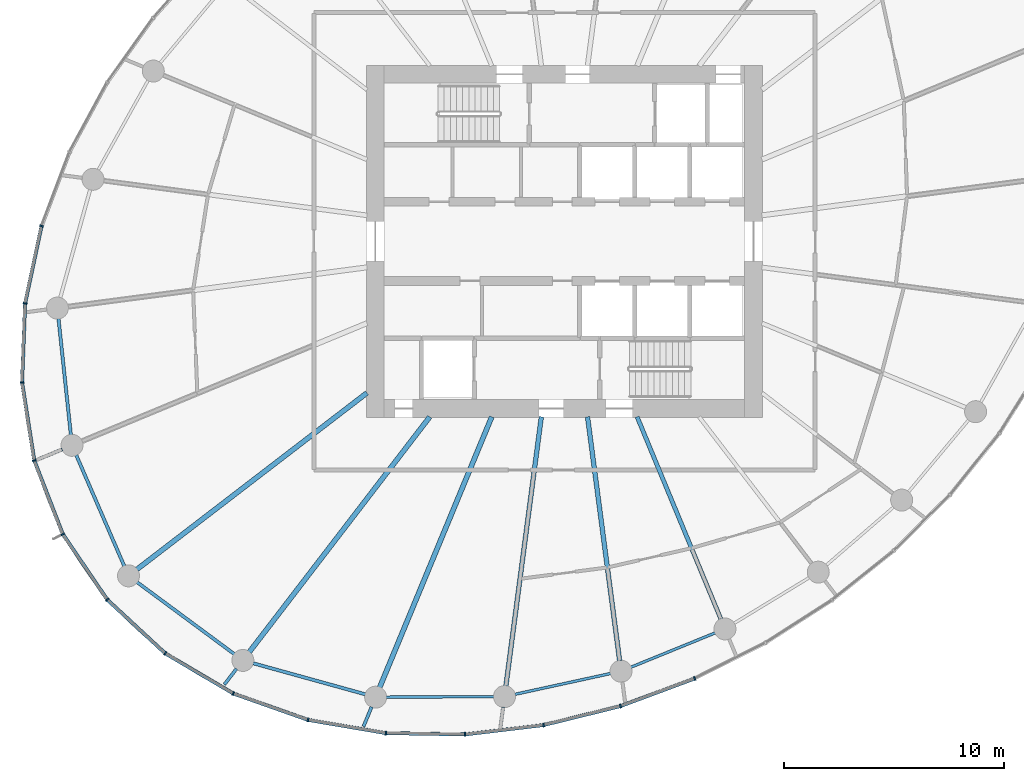
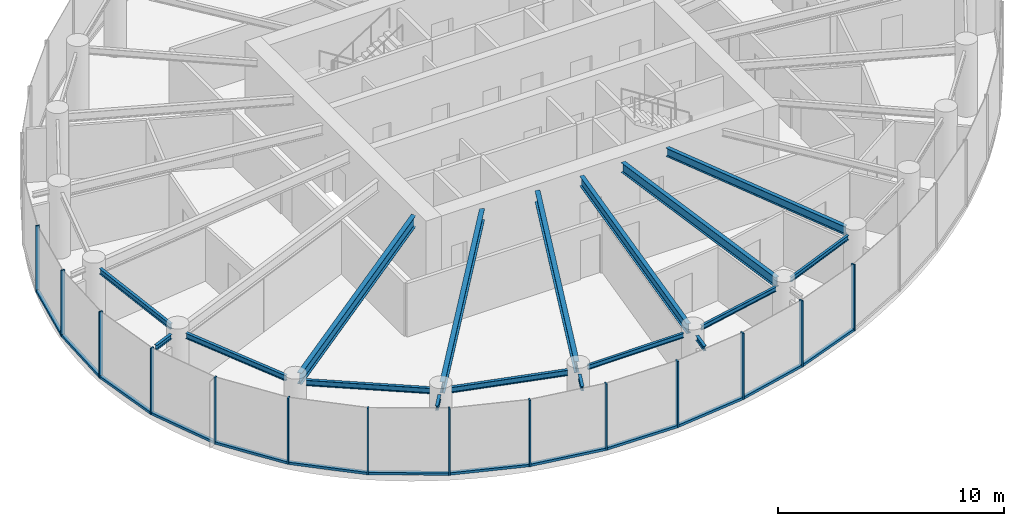
# One storey, part 2 of 14: 27 members, 17 beams, 3 elements without a shape of their own.
"""IFC4 building model written with IfcOpenShell, lengths in metres."""

from ifc_helpers import new_model, si_unit, direction, frame, origin, origin_2d, place, context, subcontext, project, spatial, rectangle, i_section, extrude, source, transform, mapped, material, layer, layer_set, material_profile, profile_set, type_object, element, aggregate, save


model = new_model("IFC4")

# Units and contexts
model_context = context("Model", 3, precision=1e-05, world=origin(), true_north=direction((0.0, 1.0)))
body_context = subcontext(model_context, "Body", "Model", "MODEL_VIEW")
ifc_project = project(units=[si_unit("LENGTHUNIT", "METRE"), si_unit("AREAUNIT", "SQUARE_METRE"), si_unit("VOLUMEUNIT", "CUBIC_METRE"), si_unit("PLANEANGLEUNIT", "RADIAN"), si_unit("MASSUNIT", "GRAM", prefix="KILO")], contexts=[model_context])

# Site, building, storey
site_placement = place(None, origin())
site = spatial("IfcSite", under=ifc_project, at=site_placement, CompositionType="ELEMENT")
building_placement = place(site_placement, origin())
building = spatial("IfcBuilding", under=site, at=building_placement, Name="Spindrift Exchange Tower", CompositionType="ELEMENT")
storey_placement = place(building_placement, frame((0.0, 0.0, 144.800048828125)))
storey = spatial("IfcBuildingStorey", under=building, at=storey_placement, Name="L34", CompositionType="ELEMENT", Elevation=144.800048828125)

# Beams
ifc_material_1 = material(Name="Steel Grade 300", Category="steel")
ifc_material_profile_1 = material_profile(ifc_material_1, i_section(OverallWidth=0.14599609375, OverallDepth=0.251953125, WebThickness=0.006103515625, FlangeThickness=0.008544921875, FilletRadius=0.011962890625, at=origin_2d()), Name="250UB31.4")
ifc_profile_set_1 = profile_set([ifc_material_profile_1], Name="Steel Grade 300")
beam_type_1 = type_object("IfcBeamType", Name="Cantilever Beam 250UB31.4 Steel Grade 300", PredefinedType="BEAM", material=ifc_profile_set_1)
shared_shape_1 = source(origin(), body_context, "Body", "SweptSolid", [
    extrude(i_section(OverallWidth=0.14599609375, OverallDepth=0.251953125, WebThickness=0.006103515625, FlangeThickness=0.008544921875, FilletRadius=0.011962890625, at=origin_2d()), origin(), (0.0, 0.0, 1.0), 0.964111328125),
])
beam_1_placement = place(storey_placement, frame((43.229248046875, 26.82568359375, 3.453857421875), z_axis=(-0.382672391391, -0.923884105755, 0.0), x_axis=(0.923884105755, -0.382672391391, 0.0)))
element("IfcBeam", 1, at=beam_1_placement, inside=storey, type_object=beam_type_1, Name="L34 cantilever beam R17T", PredefinedType="BEAM", context=body_context, shape_type="MappedRepresentation", body=[
    mapped(shared_shape_1, transform((0.0, 0.0, 0.0), scale=1.0)),
])
shared_shape_2 = source(origin(), body_context, "Body", "SweptSolid", [
    extrude(i_section(OverallWidth=0.14599609375, OverallDepth=0.251953125, WebThickness=0.006103515625, FlangeThickness=0.008544921875, FilletRadius=0.011962890625, at=origin_2d()), origin(), (0.0, 0.0, 1.0), 0.9267578125),
])
beam_2_placement = place(storey_placement, frame((49.21142578125, 26.81884765625, 3.453857421875), z_axis=(-0.130386374353, -0.991463258716, 0.0), x_axis=(0.991463258716, -0.130386374353, 0.0)))
element("IfcBeam", 2, at=beam_2_placement, inside=storey, type_object=beam_type_1, Name="L34 cantilever beam R18T", PredefinedType="BEAM", context=body_context, shape_type="MappedRepresentation", body=[
    mapped(shared_shape_2, transform((0.0, 0.0, 0.0), scale=1.0)),
])
ifc_material_profile_2 = material_profile(ifc_material_1, i_section(OverallWidth=0.14892578125, OverallDepth=0.298095703125, WebThickness=0.005615234375, FlangeThickness=0.008056640625, FilletRadius=0.012939453125, at=origin_2d()), Name="310UB32.0")
ifc_profile_set_2 = profile_set([ifc_material_profile_2], Name="Steel Grade 300")
beam_type_2 = type_object("IfcBeamType", Name="Edge Beam 310UB32.0 Steel Grade 300", PredefinedType="SPANDREL", material=ifc_profile_set_2)
shared_shape_3 = source(origin(), body_context, "Body", "SweptSolid", [
    extrude(i_section(OverallWidth=0.14892578125, OverallDepth=0.298095703125, WebThickness=0.005615234375, FlangeThickness=0.008056640625, FilletRadius=0.012939453125, at=origin_2d()), origin(), (0.0, 0.0, 1.0), 5.31640625),
])
beam_3_placement = place(storey_placement, frame((28.989013671875, 44.486572265625, 3.430908203125), z_axis=(0.10598990948, -0.994367205357, 0.0), x_axis=(0.994367205357, 0.10598990948, 0.0)))
element("IfcBeam", 3, at=beam_3_placement, inside=storey, type_object=beam_type_2, Name="L34 edge beam E13", PredefinedType="SPANDREL", context=body_context, shape_type="MappedRepresentation", body=[
    mapped(shared_shape_3, transform((0.0, 0.0, 0.0), scale=1.0)),
])
shared_shape_4 = source(origin(), body_context, "Body", "SweptSolid", [
    extrude(i_section(OverallWidth=0.14892578125, OverallDepth=0.298095703125, WebThickness=0.005615234375, FlangeThickness=0.008056640625, FilletRadius=0.012939453125, at=origin_2d()), origin(), (0.0, 0.0, 1.0), 5.508544921875),
])
beam_4_placement = place(storey_placement, frame((29.794189453125, 38.282470703125, 3.430908203125), z_axis=(0.397414644433, -0.917639144975, 0.0), x_axis=(0.917639144975, 0.397414644433, 0.0)))
element("IfcBeam", 4, at=beam_4_placement, inside=storey, type_object=beam_type_2, Name="L34 edge beam E14", PredefinedType="SPANDREL", context=body_context, shape_type="MappedRepresentation", body=[
    mapped(shared_shape_4, transform((0.0, 0.0, 0.0), scale=1.0)),
])
shared_shape_5 = source(origin(), body_context, "Body", "SweptSolid", [
    extrude(i_section(OverallWidth=0.14892578125, OverallDepth=0.298095703125, WebThickness=0.005615234375, FlangeThickness=0.008056640625, FilletRadius=0.012939453125, at=origin_2d()), origin(), (0.0, 0.0, 1.0), 5.509033203125),
])
beam_5_placement = place(storey_placement, frame((32.56005859375, 32.501708984375, 3.430908203125), z_axis=(0.803991901791, -0.594640245741, 0.0), x_axis=(0.594640245741, 0.803991901791, 0.0)))
element("IfcBeam", 5, at=beam_5_placement, inside=storey, type_object=beam_type_2, Name="L34 edge beam E15", PredefinedType="SPANDREL", context=body_context, shape_type="MappedRepresentation", body=[
    mapped(shared_shape_5, transform((0.0, 0.0, 0.0), scale=1.0)),
])
shared_shape_6 = source(origin(), body_context, "Body", "SweptSolid", [
    extrude(i_section(OverallWidth=0.14892578125, OverallDepth=0.298095703125, WebThickness=0.005615234375, FlangeThickness=0.008056640625, FilletRadius=0.012939453125, at=origin_2d()), origin(), (0.0, 0.0, 1.0), 5.30517578125),
])
beam_6_placement = place(storey_placement, frame((37.837646484375, 28.8125, 3.430908203125), z_axis=(0.963757513624, -0.26677978734, 0.0), x_axis=(0.26677978734, 0.963757513624, 0.0)))
element("IfcBeam", 6, at=beam_6_placement, inside=storey, type_object=beam_type_2, Name="L34 edge beam E16", PredefinedType="SPANDREL", context=body_context, shape_type="MappedRepresentation", body=[
    mapped(shared_shape_6, transform((0.0, 0.0, 0.0), scale=1.0)),
])
ifc_material_profile_3 = material_profile(ifc_material_1, i_section(OverallWidth=0.1240234375, OverallDepth=0.248046875, WebThickness=0.0048828125, FlangeThickness=0.008056640625, FilletRadius=0.011962890625, at=origin_2d()), Name="250UB25.7")
ifc_profile_set_3 = profile_set([ifc_material_profile_3], Name="Steel Grade 300")
beam_type_3 = type_object("IfcBeamType", Name="Edge Beam 250UB25.7 Steel Grade 300", PredefinedType="SPANDREL", material=ifc_profile_set_3)
shared_shape_7 = source(origin(), body_context, "Body", "SweptSolid", [
    extrude(i_section(OverallWidth=0.1240234375, OverallDepth=0.248046875, WebThickness=0.0048828125, FlangeThickness=0.008056640625, FilletRadius=0.011962890625, at=origin_2d()), origin(), (0.0, 0.0, 1.0), 4.901123046875),
])
beam_7_placement = place(storey_placement, frame((43.89306640625, 27.271240234375, 3.4560546875), z_axis=(0.999990609444, 0.004333707747, 0.0), x_axis=(-0.004333707747, 0.999990609444, 0.0)))
element("IfcBeam", 7, at=beam_7_placement, inside=storey, type_object=beam_type_3, Name="L34 edge beam E17", PredefinedType="SPANDREL", context=body_context, shape_type="MappedRepresentation", body=[
    mapped(shared_shape_7, transform((0.0, 0.0, 0.0), scale=1.0)),
])
shared_shape_8 = source(origin(), body_context, "Body", "SweptSolid", [
    extrude(i_section(OverallWidth=0.1240234375, OverallDepth=0.248046875, WebThickness=0.0048828125, FlangeThickness=0.008056640625, FilletRadius=0.011962890625, at=origin_2d()), origin(), (0.0, 0.0, 1.0), 4.464111328125),
])
beam_8_placement = place(storey_placement, frame((49.7431640625, 27.396728515625, 3.4560546875), z_axis=(0.977095837978, 0.212799726048, 0.0), x_axis=(-0.212799726048, 0.977095837978, 0.0)))
element("IfcBeam", 8, at=beam_8_placement, inside=storey, type_object=beam_type_3, Name="L34 edge beam E18", PredefinedType="SPANDREL", context=body_context, shape_type="MappedRepresentation", body=[
    mapped(shared_shape_8, transform((0.0, 0.0, 0.0), scale=1.0)),
])
shared_shape_9 = source(origin(), body_context, "Body", "SweptSolid", [
    extrude(i_section(OverallWidth=0.1240234375, OverallDepth=0.248046875, WebThickness=0.0048828125, FlangeThickness=0.008056640625, FilletRadius=0.011962890625, at=origin_2d()), origin(), (0.0, 0.0, 1.0), 4.143798828125),
])
beam_9_placement = place(storey_placement, frame((55.0185546875, 28.6298828125, 3.4560546875), z_axis=(0.926113706975, 0.377244485385, 0.0), x_axis=(-0.377244485385, 0.926113706975, 0.0)))
element("IfcBeam", 9, at=beam_9_placement, inside=storey, type_object=beam_type_3, Name="L34 edge beam E19", PredefinedType="SPANDREL", context=body_context, shape_type="MappedRepresentation", body=[
    mapped(shared_shape_9, transform((0.0, 0.0, 0.0), scale=1.0)),
])
ifc_material_profile_4 = material_profile(ifc_material_1, i_section(OverallWidth=0.22802734375, OverallDepth=0.60205078125, WebThickness=0.010498046875, FlangeThickness=0.014892578125, FilletRadius=0.013916015625, at=origin_2d()), Name="610UB101")
ifc_profile_set_4 = profile_set([ifc_material_profile_4], Name="Steel Grade 300")
beam_type_4 = type_object("IfcBeamType", Name="Floor Beam 610UB101 Steel Grade 300", PredefinedType="BEAM", material=ifc_profile_set_4)
shared_shape_10 = source(origin(), body_context, "Body", "SweptSolid", [
    extrude(i_section(OverallWidth=0.22802734375, OverallDepth=0.60205078125, WebThickness=0.010498046875, FlangeThickness=0.014892578125, FilletRadius=0.013916015625, at=origin_2d()), origin(), (0.0, 0.0, 1.0), 13.185546875),
])
beam_10_placement = place(storey_placement, frame((43.015869140625, 41.106201171875, 3.279052734375), z_axis=(-0.793357156703, -0.608756455332, 0.0), x_axis=(0.608756455332, -0.793357156703, 0.0)))
element("IfcBeam", 10, at=beam_10_placement, inside=storey, type_object=beam_type_4, Name="L34 radial beam R15A", PredefinedType="BEAM", context=body_context, shape_type="MappedRepresentation", body=[
    mapped(shared_shape_10, transform((0.0, 0.0, 0.0), scale=1.0)),
])
shared_shape_11 = source(origin(), body_context, "Body", "SweptSolid", [
    extrude(i_section(OverallWidth=0.22802734375, OverallDepth=0.60205078125, WebThickness=0.010498046875, FlangeThickness=0.014892578125, FilletRadius=0.013916015625, at=origin_2d()), origin(), (0.0, 0.0, 1.0), 13.480224609375),
])
beam_11_placement = place(storey_placement, frame((45.87353515625, 40.015869140625, 3.279052734375), z_axis=(-0.608764179541, -0.793351229726, 0.0), x_axis=(0.793351229726, -0.608764179541, 0.0)))
element("IfcBeam", 11, at=beam_11_placement, inside=storey, type_object=beam_type_4, Name="L34 radial beam R16A", PredefinedType="BEAM", context=body_context, shape_type="MappedRepresentation", body=[
    mapped(shared_shape_11, transform((0.0, 0.0, 0.0), scale=1.0)),
])
shared_shape_12 = source(origin(), body_context, "Body", "SweptSolid", [
    extrude(i_section(OverallWidth=0.22802734375, OverallDepth=0.60205078125, WebThickness=0.010498046875, FlangeThickness=0.014892578125, FilletRadius=0.013916015625, at=origin_2d()), origin(), (0.0, 0.0, 1.0), 13.31982421875),
])
beam_12_placement = place(storey_placement, frame((48.69384765625, 40.0185546875, 3.279052734375), z_axis=(-0.382676632888, -0.923882348918, 0.0), x_axis=(0.923882348918, -0.382676632888, 0.0)))
element("IfcBeam", 12, at=beam_12_placement, inside=storey, type_object=beam_type_4, Name="L34 radial beam R17A", PredefinedType="BEAM", context=body_context, shape_type="MappedRepresentation", body=[
    mapped(shared_shape_12, transform((0.0, 0.0, 0.0), scale=1.0)),
])
ifc_material_profile_5 = material_profile(ifc_material_1, i_section(OverallWidth=0.208984375, OverallDepth=0.528076171875, WebThickness=0.009521484375, FlangeThickness=0.01318359375, FilletRadius=0.013916015625, at=origin_2d()), Name="530UB82.0")
ifc_profile_set_5 = profile_set([ifc_material_profile_5], Name="Steel Grade 300")
beam_type_5 = type_object("IfcBeamType", Name="Floor Beam 530UB82.0 Steel Grade 300", PredefinedType="BEAM", material=ifc_profile_set_5)
shared_shape_13 = source(origin(), body_context, "Body", "SweptSolid", [
    extrude(i_section(OverallWidth=0.208984375, OverallDepth=0.528076171875, WebThickness=0.009521484375, FlangeThickness=0.01318359375, FilletRadius=0.013916015625, at=origin_2d()), origin(), (0.0, 0.0, 1.0), 12.35498046875),
])
beam_13_placement = place(storey_placement, frame((50.949462890625, 40.019775390625, 3.31591796875), z_axis=(-0.130537831721, -0.991443328935, 0.0), x_axis=(0.991443328935, -0.130537831721, 0.0)))
element("IfcBeam", 13, at=beam_13_placement, inside=storey, type_object=beam_type_5, Name="L34 radial beam R18A", PredefinedType="BEAM", context=body_context, shape_type="MappedRepresentation", body=[
    mapped(shared_shape_13, transform((0.0, 0.0, 0.0), scale=1.0)),
])
shared_shape_14 = source(origin(), body_context, "Body", "SweptSolid", [
    extrude(i_section(OverallWidth=0.208984375, OverallDepth=0.528076171875, WebThickness=0.009521484375, FlangeThickness=0.01318359375, FilletRadius=0.013916015625, at=origin_2d()), origin(), (0.0, 0.0, 1.0), 11.19091796875),
])
beam_14_placement = place(storey_placement, frame((53.050537109375, 40.019775390625, 3.31591796875), z_axis=(0.130524489434, -0.991445085548, 0.0), x_axis=(0.991445085548, 0.130524489434, 0.0)))
element("IfcBeam", 14, at=beam_14_placement, inside=storey, type_object=beam_type_5, Name="L34 radial beam R19A", PredefinedType="BEAM", context=body_context, shape_type="MappedRepresentation", body=[
    mapped(shared_shape_14, transform((0.0, 0.0, 0.0), scale=1.0)),
])
ifc_material_profile_6 = material_profile(ifc_material_1, i_section(OverallWidth=0.18994140625, OverallDepth=0.4541015625, WebThickness=0.008544921875, FlangeThickness=0.0126953125, FilletRadius=0.013916015625, at=origin_2d()), Name="460UB67.1")
ifc_profile_set_6 = profile_set([ifc_material_profile_6], Name="Steel Grade 300")
beam_type_6 = type_object("IfcBeamType", Name="Floor Beam 460UB67.1 Steel Grade 300", PredefinedType="BEAM", material=ifc_profile_set_6)
shared_shape_15 = source(origin(), body_context, "Body", "SweptSolid", [
    extrude(i_section(OverallWidth=0.18994140625, OverallDepth=0.4541015625, WebThickness=0.008544921875, FlangeThickness=0.0126953125, FilletRadius=0.013916015625, at=origin_2d()), origin(), (0.0, 0.0, 1.0), 9.958984375),
])
beam_15_placement = place(storey_placement, frame((55.30615234375, 40.0185546875, 3.35302734375), z_axis=(0.382673670509, -0.923883575944, 0.0), x_axis=(0.923883575944, 0.382673670509, 0.0)))
element("IfcBeam", 15, at=beam_15_placement, inside=storey, type_object=beam_type_6, Name="L34 radial beam R20A", PredefinedType="BEAM", context=body_context, shape_type="MappedRepresentation", body=[
    mapped(shared_shape_15, transform((0.0, 0.0, 0.0), scale=1.0)),
])
shared_shape_16 = source(origin(), body_context, "Body", "SweptSolid", [
    extrude(i_section(OverallWidth=0.14599609375, OverallDepth=0.251953125, WebThickness=0.006103515625, FlangeThickness=0.008544921875, FilletRadius=0.011962890625, at=origin_2d()), origin(), (0.0, 0.0, 1.0), 1.1201171875),
])
beam_16_placement = place(storey_placement, frame((29.159912109375, 38.539306640625, 3.453857421875), z_axis=(-0.923868073298, -0.382711096181, 0.0), x_axis=(0.382711096181, -0.923868073298, 0.0)))
element("IfcBeam", 16, at=beam_16_placement, inside=storey, type_object=beam_type_1, Name="L34 cantilever beam R14T", PredefinedType="BEAM", context=body_context, shape_type="MappedRepresentation", body=[
    mapped(shared_shape_16, transform((0.0, 0.0, 0.0), scale=1.0)),
])
shared_shape_17 = source(origin(), body_context, "Body", "SweptSolid", [
    extrude(i_section(OverallWidth=0.14599609375, OverallDepth=0.251953125, WebThickness=0.006103515625, FlangeThickness=0.008544921875, FilletRadius=0.011962890625, at=origin_2d()), origin(), (0.0, 0.0, 1.0), 0.89990234375),
])
beam_17_placement = place(storey_placement, frame((37.0830078125, 28.559814453125, 3.453857421875), z_axis=(-0.608818785139, -0.79330932609, 0.0), x_axis=(0.79330932609, -0.608818785139, 0.0)))
element("IfcBeam", 17, at=beam_17_placement, inside=storey, type_object=beam_type_1, Name="L34 cantilever beam R16T", PredefinedType="BEAM", context=body_context, shape_type="MappedRepresentation", body=[
    mapped(shared_shape_17, transform((0.0, 0.0, 0.0), scale=1.0)),
])

# Curtain wall, members
ifc_material_2 = material(Name="Fritted laminated glass with bronze frame", Category="glass")
ifc_layer = layer(ifc_material_2, 0.179931640625)
ifc_layer_set = layer_set([ifc_layer], Name="ZONE 3 BRONZE FRITTED WALL")
curtain_wall_type = type_object("IfcCurtainWallType", Name="ZONE 3 BRONZE FRITTED WALL", PredefinedType="NOTDEFINED", material=ifc_layer_set)
curtain_wall_1_placement = place(storey_placement, origin())
curtain_wall_1 = element("IfcCurtainWall", 18, at=curtain_wall_1_placement, inside=storey, type_object=curtain_wall_type, Name="L34 Zone 3 Bronze Fritted Wall run 3", PredefinedType="NOTDEFINED")
ifc_material_3 = material(Name="Bronze anodised aluminium", Category="aluminium")
ifc_material_profile_7 = material_profile(ifc_material_3, rectangle(XDim=0.070068359375, YDim=0.179931640625, at=origin_2d()), Name="ZONE 3 BRONZE FRITTED WALL MULLION 70X180")
ifc_profile_set_7 = profile_set([ifc_material_profile_7], Name="Bronze anodised aluminium")
member_type_1 = type_object("IfcMemberType", Name="ZONE 3 BRONZE FRITTED WALL MULLION 70X180", PredefinedType="MULLION", material=ifc_profile_set_7)
shared_shape_18 = source(origin(), body_context, "Body", "SweptSolid", [
    extrude(rectangle(XDim=0.070068359375, YDim=0.179931640625, at=origin_2d()), origin(), (0.0, 0.0, 1.0), 3.579833984375),
])
member_1_placement = place(storey_placement, frame((28.216796875, 48.69873046875, 0.0), z_axis=(0.0, 0.0, 1.0), x_axis=(-0.281423350118, -0.959583710787, 0.0)))
member_1 = element("IfcMember", 19, at=member_1_placement, type_object=member_type_1, Name="L34 mullion CW-3.17", PredefinedType="MULLION", context=body_context, shape_type="MappedRepresentation", body=[
    mapped(shared_shape_18, transform((0.0, 0.0, 0.0), scale=1.0)),
])
member_2_placement = place(storey_placement, frame((27.468017578125, 45.1787109375, 0.0), z_axis=(0.0, 0.0, 1.0), x_axis=(-0.123586044706, -0.992333859925, 0.0)))
member_2 = element("IfcMember", 20, at=member_2_placement, type_object=member_type_1, Name="L34 mullion CW-3.18", PredefinedType="MULLION", context=body_context, shape_type="MappedRepresentation", body=[
    mapped(shared_shape_18, transform((0.0, 0.0, 0.0), scale=1.0)),
])

curtain_wall_2_placement = place(storey_placement, origin())
curtain_wall_2 = element("IfcCurtainWall", 21, at=curtain_wall_2_placement, inside=storey, type_object=curtain_wall_type, Name="L34 Zone 3 Bronze Fritted Wall run 4", PredefinedType="NOTDEFINED")
member_3_placement = place(storey_placement, frame((27.33056640625, 41.583740234375, 0.0), z_axis=(0.0, 0.0, 1.0), x_axis=(0.058507055163, -0.998286995055, 0.0)))
member_3 = element("IfcMember", 22, at=member_3_placement, type_object=member_type_1, Name="L34 mullion CW-3.19", PredefinedType="MULLION", context=body_context, shape_type="MappedRepresentation", body=[
    mapped(shared_shape_18, transform((0.0, 0.0, 0.0), scale=1.0)),
])
member_4_placement = place(storey_placement, frame((27.886962890625, 38.03076171875, 0.0), z_axis=(0.0, 0.0, 1.0), x_axis=(0.259394019209, -0.965771578997, 0.0)))
member_4 = element("IfcMember", 23, at=member_4_placement, type_object=member_type_1, Name="L34 mullion CW-3.20", PredefinedType="MULLION", context=body_context, shape_type="MappedRepresentation", body=[
    mapped(shared_shape_18, transform((0.0, 0.0, 0.0), scale=1.0)),
])
member_5_placement = place(storey_placement, frame((29.185302734375, 34.67822265625, 0.0), z_axis=(0.0, 0.0, 1.0), x_axis=(0.464461669455, -0.885593223555, 0.0)))
member_5 = element("IfcMember", 24, at=member_5_placement, type_object=member_type_1, Name="L34 mullion CW-3.21", PredefinedType="MULLION", context=body_context, shape_type="MappedRepresentation", body=[
    mapped(shared_shape_18, transform((0.0, 0.0, 0.0), scale=1.0)),
])
member_6_placement = place(storey_placement, frame((31.20458984375, 31.70458984375, 0.0), z_axis=(0.0, 0.0, 1.0), x_axis=(0.651938902854, -0.758271499494, 0.0)))
member_6 = element("IfcMember", 25, at=member_6_placement, type_object=member_type_1, Name="L34 mullion CW-3.22", PredefinedType="MULLION", context=body_context, shape_type="MappedRepresentation", body=[
    mapped(shared_shape_18, transform((0.0, 0.0, 0.0), scale=1.0)),
])
member_7_placement = place(storey_placement, frame((33.84228515625, 29.26171875, 0.0), z_axis=(0.0, 0.0, 1.0), x_axis=(0.802080772711, -0.597215567486, 0.0)))
member_7 = element("IfcMember", 26, at=member_7_placement, type_object=member_type_1, Name="L34 mullion CW-3.23", PredefinedType="MULLION", context=body_context, shape_type="MappedRepresentation", body=[
    mapped(shared_shape_18, transform((0.0, 0.0, 0.0), scale=1.0)),
])
member_8_placement = place(storey_placement, frame((36.939697265625, 27.4345703125, 0.0), z_axis=(0.0, 0.0, 1.0), x_axis=(0.906379983588, -0.422463401196, 0.0)))
member_8 = element("IfcMember", 27, at=member_8_placement, type_object=member_type_1, Name="L34 mullion CW-3.24", PredefinedType="MULLION", context=body_context, shape_type="MappedRepresentation", body=[
    mapped(shared_shape_18, transform((0.0, 0.0, 0.0), scale=1.0)),
])

curtain_wall_3_placement = place(storey_placement, origin())
curtain_wall_3 = element("IfcCurtainWall", 28, at=curtain_wall_3_placement, inside=storey, type_object=curtain_wall_type, Name="L34 Zone 3 Bronze Fritted Wall run 5", PredefinedType="NOTDEFINED")
member_9_placement = place(storey_placement, frame((40.332275390625, 26.23681640625, 0.0), z_axis=(0.0, 0.0, 1.0), x_axis=(0.967984918776, -0.251008360464, 0.0)))
member_9 = element("IfcMember", 29, at=member_9_placement, type_object=member_type_1, Name="L34 mullion CW-3.25", PredefinedType="MULLION", context=body_context, shape_type="MappedRepresentation", body=[
    mapped(shared_shape_18, transform((0.0, 0.0, 0.0), scale=1.0)),
])
member_10_placement = place(storey_placement, frame((43.880126953125, 25.635009765625, 0.0), z_axis=(0.0, 0.0, 1.0), x_axis=(0.995737892298, -0.092228248608, 0.0)))
member_10 = element("IfcMember", 30, at=member_10_placement, type_object=member_type_1, Name="L34 mullion CW-3.26", PredefinedType="MULLION", context=body_context, shape_type="MappedRepresentation", body=[
    mapped(shared_shape_18, transform((0.0, 0.0, 0.0), scale=1.0)),
])
member_11_placement = place(storey_placement, frame((47.47900390625, 25.574951171875, 0.0), z_axis=(0.0, 0.0, 1.0), x_axis=(0.998699237437, 0.050988558933, 0.0)))
member_11 = element("IfcMember", 31, at=member_11_placement, type_object=member_type_1, Name="L34 mullion CW-3.27", PredefinedType="MULLION", context=body_context, shape_type="MappedRepresentation", body=[
    mapped(shared_shape_18, transform((0.0, 0.0, 0.0), scale=1.0)),
])
member_12_placement = place(storey_placement, frame((51.053955078125, 26.001220703125, 0.0), z_axis=(0.0, 0.0, 1.0), x_axis=(0.9838052898, 0.179240485832, 0.0)))
member_12 = element("IfcMember", 32, at=member_12_placement, type_object=member_type_1, Name="L34 mullion CW-3.28", PredefinedType="MULLION", context=body_context, shape_type="MappedRepresentation", body=[
    mapped(shared_shape_18, transform((0.0, 0.0, 0.0), scale=1.0)),
])
member_13_placement = place(storey_placement, frame((54.549560546875, 26.86328125, 0.0), z_axis=(0.0, 0.0, 1.0), x_axis=(0.955646743582, 0.294515367139, 0.0)))
member_13 = element("IfcMember", 33, at=member_13_placement, type_object=member_type_1, Name="L34 mullion CW-3.29", PredefinedType="MULLION", context=body_context, shape_type="MappedRepresentation", body=[
    mapped(shared_shape_18, transform((0.0, 0.0, 0.0), scale=1.0)),
])
member_14_placement = place(storey_placement, frame((57.92431640625, 28.11865234375, 0.0), z_axis=(0.0, 0.0, 1.0), x_axis=(0.916944499164, 0.399014768465, 0.0)))
member_14 = element("IfcMember", 34, at=member_14_placement, type_object=member_type_1, Name="L34 mullion CW-3.30", PredefinedType="MULLION", context=body_context, shape_type="MappedRepresentation", body=[
    mapped(shared_shape_18, transform((0.0, 0.0, 0.0), scale=1.0)),
])

# Member
ifc_material_profile_8 = material_profile(ifc_material_3, rectangle(XDim=0.159912109375, YDim=0.1298828125, at=origin_2d()), Name="ZONE 3 BRONZE FRITTED WALL TRANSOM 160X130")
ifc_profile_set_8 = profile_set([ifc_material_profile_8], Name="Bronze anodised aluminium")
member_type_2 = type_object("IfcMemberType", Name="ZONE 3 BRONZE FRITTED WALL TRANSOM 160X130", PredefinedType="USERDEFINED", material=ifc_profile_set_8)
shared_shape_19 = source(origin(), body_context, "Body", "SweptSolid", [
    extrude(rectangle(XDim=0.159912109375, YDim=0.1298828125, at=origin_2d()), origin(), (0.0, 0.0, 1.0), 3.52880859375),
])
member_15_placement = place(storey_placement, frame((28.20947265625, 48.66455078125, 0.06494140625), z_axis=(-0.208035823342, -0.978121207319, 0.0), x_axis=(0.978121207319, -0.208035823342, 0.0)))
member_15 = element("IfcMember", 35, at=member_15_placement, type_object=member_type_2, Name="L34 transom CW-3.17", ObjectType="TRANSOM", PredefinedType="USERDEFINED", context=body_context, shape_type="MappedRepresentation", body=[
    mapped(shared_shape_19, transform((0.0, 0.0, 0.0), scale=1.0)),
])

member_16_placement = place(storey_placement, frame((40.36669921875, 26.23095703125, 0.06494140625), z_axis=(0.985918650366, -0.167225640557, 0.0), x_axis=(0.167225640557, 0.985918650366, 0.0)))
member_16 = element("IfcMember", 36, at=member_16_placement, type_object=member_type_2, Name="L34 transom CW-3.25", ObjectType="TRANSOM", PredefinedType="USERDEFINED", context=body_context, shape_type="MappedRepresentation", body=[
    mapped(shared_shape_19, transform((0.0, 0.0, 0.0), scale=1.0)),
])

shared_shape_20 = source(origin(), body_context, "Body", "SweptSolid", [
    extrude(rectangle(XDim=0.159912109375, YDim=0.1298828125, at=origin_2d()), origin(), (0.0, 0.0, 1.0), 3.5263671875),
])
member_17_placement = place(storey_placement, frame((27.3359375, 41.54931640625, 0.06494140625), z_axis=(0.154735905243, -0.987955869272, 0.0), x_axis=(0.987955869272, 0.154735905243, 0.0)))
member_17 = element("IfcMember", 37, at=member_17_placement, type_object=member_type_2, Name="L34 transom CW-3.19", ObjectType="TRANSOM", PredefinedType="USERDEFINED", context=body_context, shape_type="MappedRepresentation", body=[
    mapped(shared_shape_20, transform((0.0, 0.0, 0.0), scale=1.0)),
])

shared_shape_21 = source(origin(), body_context, "Body", "SweptSolid", [
    extrude(rectangle(XDim=0.159912109375, YDim=0.1298828125, at=origin_2d()), origin(), (0.0, 0.0, 1.0), 3.52490234375),
])
member_18_placement = place(storey_placement, frame((27.899658203125, 37.998046875, 0.06494140625), z_axis=(0.361122340081, -0.932518447804, 0.0), x_axis=(0.932518447804, 0.361122340081, 0.0)))
member_18 = element("IfcMember", 38, at=member_18_placement, type_object=member_type_2, Name="L34 transom CW-3.20", ObjectType="TRANSOM", PredefinedType="USERDEFINED", context=body_context, shape_type="MappedRepresentation", body=[
    mapped(shared_shape_21, transform((0.0, 0.0, 0.0), scale=1.0)),
])

shared_shape_22 = source(origin(), body_context, "Body", "SweptSolid", [
    extrude(rectangle(XDim=0.159912109375, YDim=0.1298828125, at=origin_2d()), origin(), (0.0, 0.0, 1.0), 3.525146484375),
])
member_19_placement = place(storey_placement, frame((31.23046875, 31.680908203125, 0.06494140625), z_axis=(0.733634066134, -0.679544742462, 0.0), x_axis=(0.679544742462, 0.733634066134, 0.0)))
member_19 = element("IfcMember", 39, at=member_19_placement, type_object=member_type_2, Name="L34 transom CW-3.22", ObjectType="TRANSOM", PredefinedType="USERDEFINED", context=body_context, shape_type="MappedRepresentation", body=[
    mapped(shared_shape_22, transform((0.0, 0.0, 0.0), scale=1.0)),
])

shared_shape_23 = source(origin(), body_context, "Body", "SweptSolid", [
    extrude(rectangle(XDim=0.159912109375, YDim=0.1298828125, at=origin_2d()), origin(), (0.0, 0.0, 1.0), 3.530517578125),
])
member_20_placement = place(storey_placement, frame((51.087890625, 26.009521484375, 0.06494140625), z_axis=(0.97091850034, 0.239410245597, 0.0), x_axis=(-0.239410245597, 0.97091850034, 0.0)))
member_20 = element("IfcMember", 40, at=member_20_placement, type_object=member_type_2, Name="L34 transom CW-3.28", ObjectType="TRANSOM", PredefinedType="USERDEFINED", context=body_context, shape_type="MappedRepresentation", body=[
    mapped(shared_shape_23, transform((0.0, 0.0, 0.0), scale=1.0)),
])

member_21_placement = place(storey_placement, frame((54.58251953125, 26.87548828125, 0.06494140625), z_axis=(0.937252332387, 0.348651782492, 0.0), x_axis=(-0.348651782492, 0.937252332387, 0.0)))
member_21 = element("IfcMember", 41, at=member_21_placement, type_object=member_type_2, Name="L34 transom CW-3.29", ObjectType="TRANSOM", PredefinedType="USERDEFINED", context=body_context, shape_type="MappedRepresentation", body=[
    mapped(shared_shape_23, transform((0.0, 0.0, 0.0), scale=1.0)),
])

shared_shape_24 = source(origin(), body_context, "Body", "SweptSolid", [
    extrude(rectangle(XDim=0.159912109375, YDim=0.1298828125, at=origin_2d()), origin(), (0.0, 0.0, 1.0), 3.530029296875),
])
member_22_placement = place(storey_placement, frame((47.513916015625, 25.5791015625, 0.06494140625), z_axis=(0.992965252793, 0.118406109409, 0.0), x_axis=(-0.118406109409, 0.992965252793, 0.0)))
member_22 = element("IfcMember", 42, at=member_22_placement, type_object=member_type_2, Name="L34 transom CW-3.27", ObjectType="TRANSOM", PredefinedType="USERDEFINED", context=body_context, shape_type="MappedRepresentation", body=[
    mapped(shared_shape_24, transform((0.0, 0.0, 0.0), scale=1.0)),
])

shared_shape_25 = source(origin(), body_context, "Body", "SweptSolid", [
    extrude(rectangle(XDim=0.159912109375, YDim=0.1298828125, at=origin_2d()), origin(), (0.0, 0.0, 1.0), 3.529541015625),
])
member_23_placement = place(storey_placement, frame((43.9150390625, 25.63427734375, 0.06494140625), z_axis=(0.999862194511, -0.016600963451, 0.0), x_axis=(0.016600963451, 0.999862194511, 0.0)))
member_23 = element("IfcMember", 43, at=member_23_placement, type_object=member_type_2, Name="L34 transom CW-3.26", ObjectType="TRANSOM", PredefinedType="USERDEFINED", context=body_context, shape_type="MappedRepresentation", body=[
    mapped(shared_shape_25, transform((0.0, 0.0, 0.0), scale=1.0)),
])

aggregate(curtain_wall_3, [member_9, member_16, member_10, member_23, member_11, member_22, member_12, member_20, member_13, member_21, member_14])

shared_shape_26 = source(origin(), body_context, "Body", "SweptSolid", [
    extrude(rectangle(XDim=0.159912109375, YDim=0.1298828125, at=origin_2d()), origin(), (0.0, 0.0, 1.0), 3.524658203125),
])
member_24_placement = place(storey_placement, frame((29.204833984375, 34.6494140625, 0.06494140625), z_axis=(0.561824903884, -0.827256173972, 0.0), x_axis=(0.827256173972, 0.561824903884, 0.0)))
member_24 = element("IfcMember", 44, at=member_24_placement, type_object=member_type_2, Name="L34 transom CW-3.21", ObjectType="TRANSOM", PredefinedType="USERDEFINED", context=body_context, shape_type="MappedRepresentation", body=[
    mapped(shared_shape_26, transform((0.0, 0.0, 0.0), scale=1.0)),
])

shared_shape_27 = source(origin(), body_context, "Body", "SweptSolid", [
    extrude(rectangle(XDim=0.159912109375, YDim=0.1298828125, at=origin_2d()), origin(), (0.0, 0.0, 1.0), 3.527587890625),
])
member_25_placement = place(storey_placement, frame((27.466796875, 45.143798828125, 0.06494140625), z_axis=(-0.038204530207, -0.999269940442, 0.0), x_axis=(0.999269940442, -0.038204530207, 0.0)))
member_25 = element("IfcMember", 45, at=member_25_placement, type_object=member_type_2, Name="L34 transom CW-3.18", ObjectType="TRANSOM", PredefinedType="USERDEFINED", context=body_context, shape_type="MappedRepresentation", body=[
    mapped(shared_shape_27, transform((0.0, 0.0, 0.0), scale=1.0)),
])

aggregate(curtain_wall_1, [member_1, member_15, member_2, member_25])

member_26_placement = place(storey_placement, frame((36.972900390625, 27.4228515625, 0.06494140625), z_axis=(0.942964776924, -0.332892519413, 0.0), x_axis=(0.332892519413, 0.942964776924, 0.0)))
member_26 = element("IfcMember", 46, at=member_26_placement, type_object=member_type_2, Name="L34 transom CW-3.24", ObjectType="TRANSOM", PredefinedType="USERDEFINED", context=body_context, shape_type="MappedRepresentation", body=[
    mapped(shared_shape_27, transform((0.0, 0.0, 0.0), scale=1.0)),
])

shared_shape_28 = source(origin(), body_context, "Body", "SweptSolid", [
    extrude(rectangle(XDim=0.159912109375, YDim=0.1298828125, at=origin_2d()), origin(), (0.0, 0.0, 1.0), 3.526123046875),
])
member_27_placement = place(storey_placement, frame((33.87255859375, 29.243896484375, 0.06494140625), z_axis=(0.861317737051, -0.508066684444, 0.0), x_axis=(0.508066684444, 0.861317737051, 0.0)))
member_27 = element("IfcMember", 47, at=member_27_placement, type_object=member_type_2, Name="L34 transom CW-3.23", ObjectType="TRANSOM", PredefinedType="USERDEFINED", context=body_context, shape_type="MappedRepresentation", body=[
    mapped(shared_shape_28, transform((0.0, 0.0, 0.0), scale=1.0)),
])

aggregate(curtain_wall_2, [member_3, member_17, member_4, member_18, member_5, member_24, member_6, member_19, member_7, member_27, member_8, member_26])

save(model, "model.ifc")
